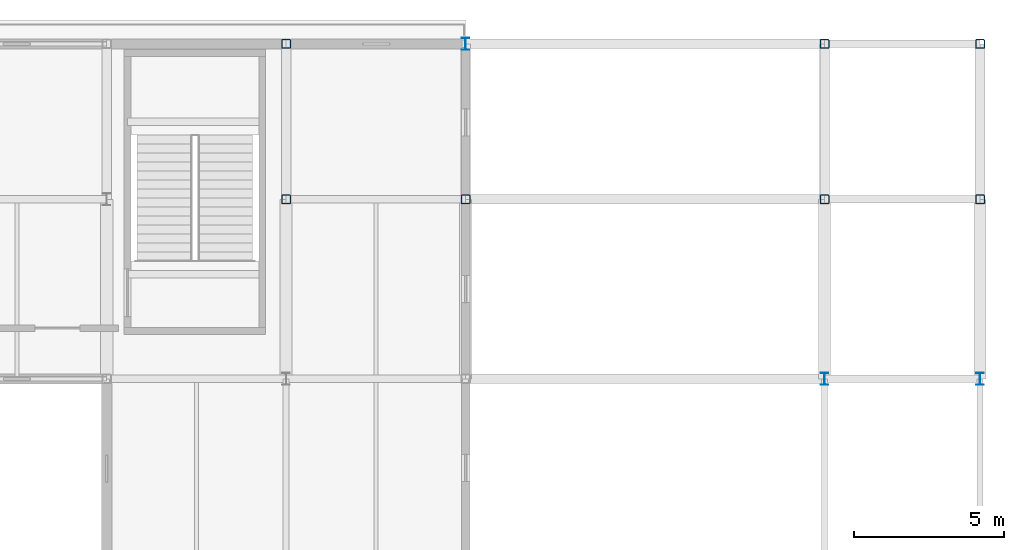
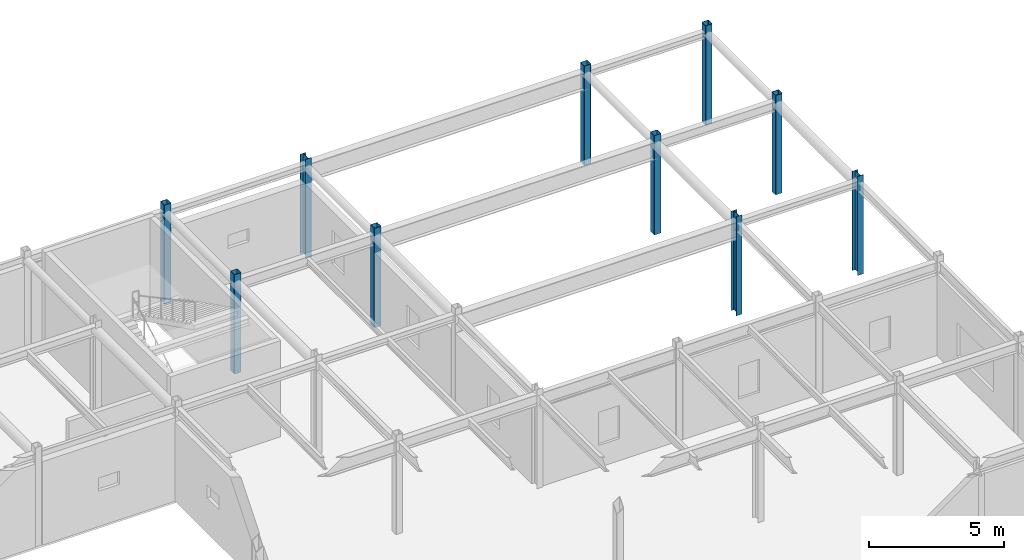
# One storey, part 22 of 96: 10 columns.
"""IFC4 building model written with IfcOpenShell, lengths in metres."""

import ifcopenshell
import ifcopenshell.guid

model = None  # the IFC model being written
_history = None  # IfcOwnerHistory: only IFC2X3 demands one
_inside = {}  # id of a spatial element -> (the spatial element, [elements in it])
_under = {}  # id of a project, library or spatial element -> (it, [spatial elements below it])
_declared = {}  # id of a project -> (the project, [libraries it declares])
_typed = {}  # id of a type object -> (the type object, [elements of that type])
_made_of = {}  # id of a material, layer set ... -> (it, [elements and type objects made of it])


def new_model(schema):
    """Start an empty IFC model of exactly this schema.

    Asked for "IFC4X3", IfcOpenShell would pick the latest addendum, in which some entities
    have other attributes; the version numbers below select the first issue.
    IFC2X3 requires an IfcOwnerHistory on every rooted entity: one is made here for all.
    """
    global model, _history
    if schema == "IFC4X3":
        model = ifcopenshell.file(schema_version=(4, 3, 0, 0))
    else:
        model = ifcopenshell.file(schema=schema)
    _inside.clear()
    _under.clear()
    _declared.clear()
    _typed.clear()
    _made_of.clear()
    _history = None
    if model.schema == "IFC2X3":
        org = make("IfcOrganization", Name="unknown")
        user = make(
            "IfcPersonAndOrganization",
            ThePerson=make("IfcPerson", FamilyName="unknown"),
            TheOrganization=org,
        )
        app = make(
            "IfcApplication",
            ApplicationDeveloper=org,
            Version="unknown",
            ApplicationFullName="unknown",
            ApplicationIdentifier="unknown",
        )
        _history = make(
            "IfcOwnerHistory",
            OwningUser=user,
            OwningApplication=app,
            ChangeAction="ADDED",
            CreationDate=0,
        )
    return model


def make(cls, **values):
    """One entity of the class cls with the attributes given. An attribute that is None is left unset."""
    return model.create_entity(
        cls, **{name: value for name, value in values.items() if value is not None}
    )


def rooted(cls, **values):
    """An entity with a GlobalId (a new one), such as an element, a storey or a relation."""
    return make(cls, GlobalId=ifcopenshell.guid.new(), OwnerHistory=_history, **values)


def si_unit(unit_type, name, prefix=None):
    """IfcSIUnit, for example si_unit("LENGTHUNIT", "METRE", prefix="MILLI")."""
    return make("IfcSIUnit", UnitType=unit_type, Prefix=prefix, Name=name)


def assignment(units):
    """IfcUnitAssignment: the units of a project."""
    return None if units is None else make("IfcUnitAssignment", Units=units)


def point(xyz):
    """IfcCartesianPoint."""
    return None if xyz is None else make("IfcCartesianPoint", Coordinates=xyz)


def direction(xyz):
    """IfcDirection."""
    return None if xyz is None else make("IfcDirection", DirectionRatios=xyz)


def frame(location, z_axis=None, x_axis=None):
    """IfcAxis2Placement3D, a coordinate frame: its origin and axes. An axis left out is left unset."""
    return make(
        "IfcAxis2Placement3D",
        Location=point(location),
        Axis=direction(z_axis),
        RefDirection=direction(x_axis),
    )


def frame_2d(location, x_axis=None):
    """IfcAxis2Placement2D, a coordinate frame in the plane: its origin and x axis."""
    return make(
        "IfcAxis2Placement2D", Location=point(location), RefDirection=direction(x_axis)
    )


def origin():
    """The frame at (0, 0, 0) with its axes left unset."""
    return frame((0.0, 0.0, 0.0))


def origin_2d():
    """The frame at (0, 0) in the plane with its x axis left unset."""
    return frame_2d((0.0, 0.0))


def place(relative_to, where):
    """IfcLocalPlacement: puts the frame where relative to a parent placement (None: the world)."""
    return make(
        "IfcLocalPlacement", PlacementRelTo=relative_to, RelativePlacement=where
    )


def context(
    kind, dimensions, precision=None, world=None, true_north=None, identifier=None
):
    """IfcGeometricRepresentationContext, for example the 3D "Model" context."""
    return make(
        "IfcGeometricRepresentationContext",
        ContextIdentifier=identifier,
        ContextType=kind,
        CoordinateSpaceDimension=dimensions,
        Precision=precision,
        WorldCoordinateSystem=world,
        TrueNorth=true_north,
    )


def subcontext(parent, identifier, kind, view, scale=None):
    """IfcGeometricRepresentationSubContext, for example "Body" below "Model"."""
    return make(
        "IfcGeometricRepresentationSubContext",
        ContextIdentifier=identifier,
        ContextType=kind,
        ParentContext=parent,
        TargetScale=scale,
        TargetView=view,
    )


def project(units=None, contexts=None):
    """IfcProject with its units and contexts."""
    return rooted(
        "IfcProject",
        Name="project",
        RepresentationContexts=contexts,
        UnitsInContext=assignment(units),
    )


def spatial(cls, under=None, at=None, **own):
    """A site, building, storey or space (cls), placed at a placement, below another one or the project."""
    s = rooted(cls, ObjectPlacement=at, **own)
    if under is not None:
        _under.setdefault(under.id(), (under, []))[1].append(s)
    return s


def profile(cls, at=None, kind="AREA", **sizes):
    """A parametric profile (cls). Its sizes go by their IFC names, for example OverallWidth=200.0."""
    return make(cls, ProfileType=kind, Position=at, **sizes)


def hollow_rectangle(**sizes):
    """IfcRectangleHollowProfileDef."""
    return profile("IfcRectangleHollowProfileDef", **sizes)


def i_section(**sizes):
    """IfcIShapeProfileDef."""
    return profile("IfcIShapeProfileDef", **sizes)


def extrude(swept, where, along, depth):
    """IfcExtrudedAreaSolid: the profile swept, set in the frame where, extruded along a direction by depth."""
    return make(
        "IfcExtrudedAreaSolid",
        SweptArea=swept,
        Position=where,
        ExtrudedDirection=direction(along),
        Depth=depth,
    )


def shape(context_of_items, identifier, shape_type, items):
    """IfcShapeRepresentation: the items that make up one representation, for example the "Body"."""
    return make(
        "IfcShapeRepresentation",
        ContextOfItems=context_of_items,
        RepresentationIdentifier=identifier,
        RepresentationType=shape_type,
        Items=items,
    )


def material(Name=None, Category=None):
    """IfcMaterial."""
    return make("IfcMaterial", Name=Name, Category=Category)


def material_profile(
    of_material, cross_section, Name=None, Category=None, Priority=None
):
    """IfcMaterialProfile: a cross section and its material."""
    return make(
        "IfcMaterialProfile",
        Name=Name,
        Material=of_material,
        Profile=cross_section,
        Priority=Priority,
        Category=Category,
    )


def profile_set(profiles, Name=None, composite=None):
    """IfcMaterialProfileSet."""
    return make(
        "IfcMaterialProfileSet",
        Name=Name,
        MaterialProfiles=profiles,
        CompositeProfile=composite,
    )


def made_of(thing, what):
    """Note that an element or type object is made of a material, layer set ...; save() writes the relation."""
    if what is not None:
        _made_of.setdefault(what.id(), (what, []))[1].append(thing)
    return thing


def type_object(cls, material=None, **own):
    """A type object (cls), such as IfcWallType, which elements share."""
    return made_of(rooted(cls, **own), material)


def element(
    cls,
    number,
    at=None,
    inside=None,
    cuts=None,
    type_object=None,
    material=None,
    context=None,
    identifier="Body",
    shape_type=None,
    held_by="IfcProductDefinitionShape",
    body=None,
    shapes=None,
    **own,
):
    """One element of the class cls, such as IfcWall. Its Tag is "e" and its number.

    at: its placement. inside: the storey or other place that contains it. cuts: it is an
    opening in that element (IfcRelVoidsElement). A single representation is given by context,
    identifier, shape_type and body (its items); several are given by shapes. held_by: the class
    of the entity that holds the representations. save() writes the other relations.
    """
    e = rooted(cls, Tag="e%d" % number, ObjectPlacement=at, **own)
    if body is not None:
        shapes = [shape(context, identifier, shape_type, body)]
    if shapes is not None:
        e.Representation = make(held_by, Representations=shapes)
    if inside is not None:
        _inside.setdefault(inside.id(), (inside, []))[1].append(e)
    if cuts is not None:
        rooted(
            "IfcRelVoidsElement", RelatingBuildingElement=cuts, RelatedOpeningElement=e
        )
    if type_object is not None:
        _typed.setdefault(type_object.id(), (type_object, []))[1].append(e)
    return made_of(e, material)


def aggregate(whole, parts):
    """IfcRelAggregates: a whole, such as a stair, and the parts it consists of."""
    return rooted("IfcRelAggregates", RelatingObject=whole, RelatedObjects=parts)


def save(model, path):
    """Write the relations noted so far, then the file.

    IfcRelAggregates (storeys below a building ...), IfcRelContainedInSpatialStructure (elements
    in a storey), IfcRelDefinesByType, IfcRelAssociatesMaterial and IfcRelDeclares: one each for
    every whole, place, type object, material and project.
    """
    for whole, parts in _under.values():
        aggregate(whole, parts)
    for where, things in _inside.values():
        rooted(
            "IfcRelContainedInSpatialStructure",
            RelatedElements=things,
            RelatingStructure=where,
        )
    for kind, things in _typed.values():
        rooted("IfcRelDefinesByType", RelatedObjects=things, RelatingType=kind)
    for what, things in _made_of.values():
        rooted("IfcRelAssociatesMaterial", RelatedObjects=things, RelatingMaterial=what)
    for by, libraries in _declared.values():
        rooted("IfcRelDeclares", RelatingContext=by, RelatedDefinitions=libraries)
    model.write(path)


model = new_model("IFC4")

# Units and contexts
model_context = context("Model", 3, precision=1e-05, world=origin(), true_north=direction((0.0, 1.0)))
body_context = subcontext(model_context, "Body", "Model", "MODEL_VIEW")
ifc_project = project(units=[si_unit("LENGTHUNIT", "METRE"), si_unit("AREAUNIT", "SQUARE_METRE"), si_unit("VOLUMEUNIT", "CUBIC_METRE"), si_unit("PLANEANGLEUNIT", "RADIAN"), si_unit("MASSUNIT", "GRAM", prefix="KILO")], contexts=[model_context])

# Site, building, storey
site_placement = place(None, origin())
site = spatial("IfcSite", under=ifc_project, at=site_placement, CompositionType="ELEMENT")
building_placement = place(site_placement, origin())
building = spatial("IfcBuilding", under=site, at=building_placement, Name="Varnakota Square Police Headquarters", CompositionType="ELEMENT")
storey_placement = place(building_placement, frame((0.0, 0.0, 4.800048828125)))
storey = spatial("IfcBuildingStorey", under=building, at=storey_placement, Name="L01", CompositionType="ELEMENT", Elevation=4.800048828125)

# Columns
ifc_material = material(Name="Steel IS 2062 Grade 350", Category="steel")
ifc_material_profile_1 = material_profile(ifc_material, i_section(OverallWidth=0.25, OverallDepth=0.39990234375, WebThickness=0.010498046875, FlangeThickness=0.0126953125, FilletRadius=0.013916015625, at=origin_2d()), Name="ISHB 400")
ifc_profile_set_1 = profile_set([ifc_material_profile_1], Name="Steel IS 2062 Grade 350")
column_type_1 = type_object("IfcColumnType", Name="COL-ISHB400", PredefinedType="COLUMN", material=ifc_profile_set_1)
for number, where, z_axis, x_axis, name in (
    (1, (144.0, 110.199951171875, 0.0), (0.0, 0.0, 1.0), (1.0, 0.0, 0.0), "Column X1440-Y1102 L01"),
    (2, (156.0, 99.0, 0.0), (0.0, 0.0, 1.0), (1.0, 0.0, 0.0), "Column X1560-Y0990 L01"),
    (3, (161.199951171875, 99.0, 0.0), (0.0, 0.0, 1.0), (1.0, 0.0, 0.0), "Column X1612-Y0990 L01"),
):
    element("IfcColumn", number, at=place(storey_placement, frame(where, z_axis=z_axis, x_axis=x_axis)), inside=storey, type_object=column_type_1, Name=name, PredefinedType="COLUMN", context=body_context, shape_type="SweptSolid", body=[
        extrude(i_section(OverallWidth=0.25, OverallDepth=0.39990234375, WebThickness=0.010498046875, FlangeThickness=0.0126953125, FilletRadius=0.013916015625, at=origin_2d()), origin(), (0.0, 0.0, 1.0), 4.5),
    ])
ifc_material_profile_2 = material_profile(ifc_material, hollow_rectangle(XDim=0.300048828125, YDim=0.300048828125, WallThickness=0.01611328125, InnerFilletRadius=0.01611328125, OuterFilletRadius=0.031982421875, at=origin_2d()), Name="SHS 300x300x16")
ifc_profile_set_2 = profile_set([ifc_material_profile_2], Name="Steel IS 2062 Grade 350")
column_type_2 = type_object("IfcColumnType", Name="COL-SHS300", PredefinedType="COLUMN", material=ifc_profile_set_2)
for number, where, z_axis, x_axis, name in (
    (4, (138.0, 105.0, 0.0), (0.0, 0.0, 1.0), (1.0, 0.0, 0.0), "Column X1380-Y1050 L01"),
    (5, (138.0, 110.199951171875, 0.0), (0.0, 0.0, 1.0), (1.0, 0.0, 0.0), "Column X1380-Y1102 L01"),
    (6, (144.0, 105.0, 0.0), (0.0, 0.0, 1.0), (1.0, 0.0, 0.0), "Column X1440-Y1050 L01"),
    (7, (156.0, 105.0, 0.0), (0.0, 0.0, 1.0), (1.0, 0.0, 0.0), "Column X1560-Y1050 L01"),
    (8, (156.0, 110.199951171875, 0.0), (0.0, 0.0, 1.0), (1.0, 0.0, 0.0), "Column X1560-Y1102 L01"),
    (9, (161.199951171875, 105.0, 0.0), (0.0, 0.0, 1.0), (1.0, 0.0, 0.0), "Column X1612-Y1050 L01"),
    (10, (161.199951171875, 110.199951171875, 0.0), (0.0, 0.0, 1.0), (1.0, 0.0, 0.0), "Column X1612-Y1102 L01"),
):
    element("IfcColumn", number, at=place(storey_placement, frame(where, z_axis=z_axis, x_axis=x_axis)), inside=storey, type_object=column_type_2, Name=name, PredefinedType="COLUMN", context=body_context, shape_type="SweptSolid", body=[
        extrude(hollow_rectangle(XDim=0.300048828125, YDim=0.300048828125, WallThickness=0.01611328125, InnerFilletRadius=0.01611328125, OuterFilletRadius=0.031982421875, at=origin_2d()), origin(), (0.0, 0.0, 1.0), 4.5),
    ])

save(model, "model.ifc")
